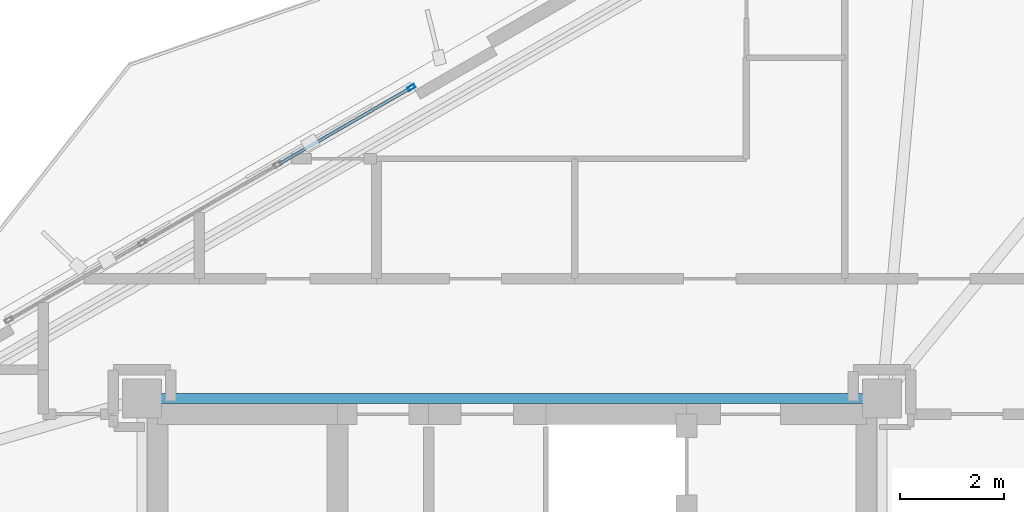
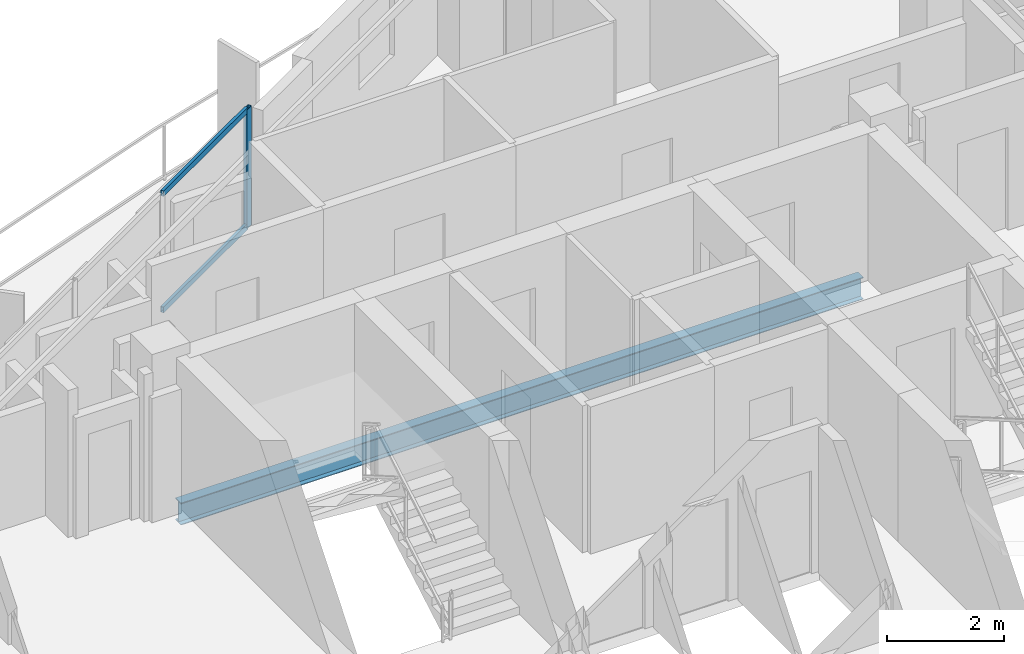
# One storey, part 14 of 21: 3 members, 1 beam, 1 element without a shape of its own.
"""IFC4 building model written with IfcOpenShell, lengths in metres."""

from ifc_helpers import new_model, si_unit, direction, frame, origin, origin_2d, place, context, subcontext, project, spatial, hollow_rectangle, i_section, extrude, material, layer, layer_set, material_profile, profile_set, type_object, element, aggregate, save


model = new_model("IFC4")

# Units and contexts
model_context = context("Model", 3, precision=1e-05, world=origin(), true_north=direction((0.0, 1.0)))
body_context = subcontext(model_context, "Body", "Model", "MODEL_VIEW")
ifc_project = project(units=[si_unit("LENGTHUNIT", "METRE"), si_unit("AREAUNIT", "SQUARE_METRE"), si_unit("VOLUMEUNIT", "CUBIC_METRE"), si_unit("PLANEANGLEUNIT", "RADIAN"), si_unit("MASSUNIT", "GRAM", prefix="KILO")], contexts=[model_context])

# Site, building, storey
site_placement = place(None, origin())
site = spatial("IfcSite", under=ifc_project, at=site_placement, CompositionType="ELEMENT")
building_placement = place(site_placement, origin())
building = spatial("IfcBuilding", under=site, at=building_placement, Name="Mersakhor Tower and Convention Hall", CompositionType="ELEMENT")
storey_placement = place(building_placement, frame((0.0, 0.0, 182.10009765625)))
storey = spatial("IfcBuildingStorey", under=building, at=storey_placement, Name="L50", CompositionType="ELEMENT", Elevation=182.10009765625)

# Beam
ifc_material_1 = material(Name="Steel S355", Category="steel")
ifc_material_profile_1 = material_profile(ifc_material_1, i_section(OverallWidth=0.19140625, OverallDepth=0.4599609375, WebThickness=0.010009765625, FlangeThickness=0.01611328125, at=origin_2d()), Name="UB 457x191x82")
ifc_profile_set_1 = profile_set([ifc_material_profile_1], Name="Steel S355")
beam_type = type_object("IfcBeamType", Name="BM-FB-457", PredefinedType="BEAM", material=ifc_profile_set_1)
beam_placement = place(storey_placement, frame((22.2548828125, 33.050048828125, -0.460205078125), z_axis=(1.0, 0.0, 0.0), x_axis=(0.0, 1.0, 0.0)))
element("IfcBeam", 1, at=beam_placement, inside=storey, type_object=beam_type, Name="L50 Core Ring Tie Beam CRB-2", PredefinedType="BEAM", context=body_context, shape_type="SweptSolid", body=[
    extrude(i_section(OverallWidth=0.19140625, OverallDepth=0.4599609375, WebThickness=0.010009765625, FlangeThickness=0.01611328125, at=origin_2d()), origin(), (0.0, 0.0, 1.0), 13.490234375),
])

# Curtain wall, members
ifc_material_2 = material(Name="Dark solar low-E aluminium curtain wall", Category="aluminium")
ifc_layer = layer(ifc_material_2, 0.169921875)
ifc_layer_set = layer_set([ifc_layer], Name="Dark solar low-E aluminium curtain wall")
curtain_wall_type = type_object("IfcCurtainWallType", Name="CW-SYS-02", PredefinedType="USERDEFINED", material=ifc_layer_set)
curtain_wall_placement = place(storey_placement, origin())
curtain_wall = element("IfcCurtainWall", 2, at=curtain_wall_placement, inside=storey, type_object=curtain_wall_type, Name="L50 Dark-Glass Curtain Wall F1-B2", ObjectType="CURTAIN WALL", PredefinedType="USERDEFINED")
ifc_material_3 = material(Name="Anodised aluminium EN AW-6063 T6", Category="aluminium")
ifc_material_profile_2 = material_profile(ifc_material_3, hollow_rectangle(XDim=0.074951171875, YDim=0.14990234375, WallThickness=0.00634765625, at=origin_2d()), Name="RHS 150x75x6.3")
ifc_profile_set_2 = profile_set([ifc_material_profile_2], Name="Anodised aluminium EN AW-6063 T6")
member_type_1 = type_object("IfcMemberType", Name="CWM-150x75", PredefinedType="MULLION", material=ifc_profile_set_2)
member_1_placement = place(storey_placement, frame((27.06982421875, 39.016845703125, 0.199951171875), z_axis=(0.0, 0.0, 1.0), x_axis=(-0.500007824483, 0.86602088627, 0.0)))
member_1 = element("IfcMember", 3, at=member_1_placement, type_object=member_type_1, Name="CW-02 mullion 4", PredefinedType="MULLION", context=body_context, shape_type="SweptSolid", body=[
    extrude(hollow_rectangle(XDim=0.074951171875, YDim=0.14990234375, WallThickness=0.00634765625, at=origin_2d()), origin(), (0.0, 0.0, 1.0), 2.489990234375),
])
ifc_material_4 = material(Name="Anodised aluminium EN AW-6063 T6", Category="aluminium")
ifc_material_profile_3 = material_profile(ifc_material_4, hollow_rectangle(XDim=0.06005859375, YDim=0.1201171875, WallThickness=0.0048828125, at=origin_2d()), Name="RHS 120x60x5")
ifc_profile_set_3 = profile_set([ifc_material_profile_3], Name="Anodised aluminium EN AW-6063 T6")
member_type_2 = type_object("IfcMemberType", Name="CWT-120x60", PredefinedType="USERDEFINED", material=ifc_profile_set_3)
member_2_placement = place(storey_placement, frame((24.537109375, 37.554443359375, 0.22998046875), z_axis=(0.86601237176, 0.50002257145, 0.0), x_axis=(-0.50002257145, 0.86601237176, 0.0)))
member_2 = element("IfcMember", 4, at=member_2_placement, type_object=member_type_2, Name="CW-02 transom 3.1", ObjectType="TRANSOM", PredefinedType="USERDEFINED", context=body_context, shape_type="SweptSolid", body=[
    extrude(hollow_rectangle(XDim=0.06005859375, YDim=0.1201171875, WallThickness=0.0048828125, at=origin_2d()), origin(), (0.0, 0.0, 1.0), 2.886962890625),
])
member_3_placement = place(storey_placement, frame((24.537109375, 37.554443359375, 2.659912109375), z_axis=(0.86601237176, 0.50002257145, 0.0), x_axis=(-0.50002257145, 0.86601237176, 0.0)))
member_3 = element("IfcMember", 5, at=member_3_placement, type_object=member_type_2, Name="CW-02 transom 3.2", ObjectType="TRANSOM", PredefinedType="USERDEFINED", context=body_context, shape_type="SweptSolid", body=[
    extrude(hollow_rectangle(XDim=0.06005859375, YDim=0.1201171875, WallThickness=0.0048828125, at=origin_2d()), origin(), (0.0, 0.0, 1.0), 2.886962890625),
])
aggregate(curtain_wall, [member_1, member_2, member_3])

save(model, "model.ifc")
